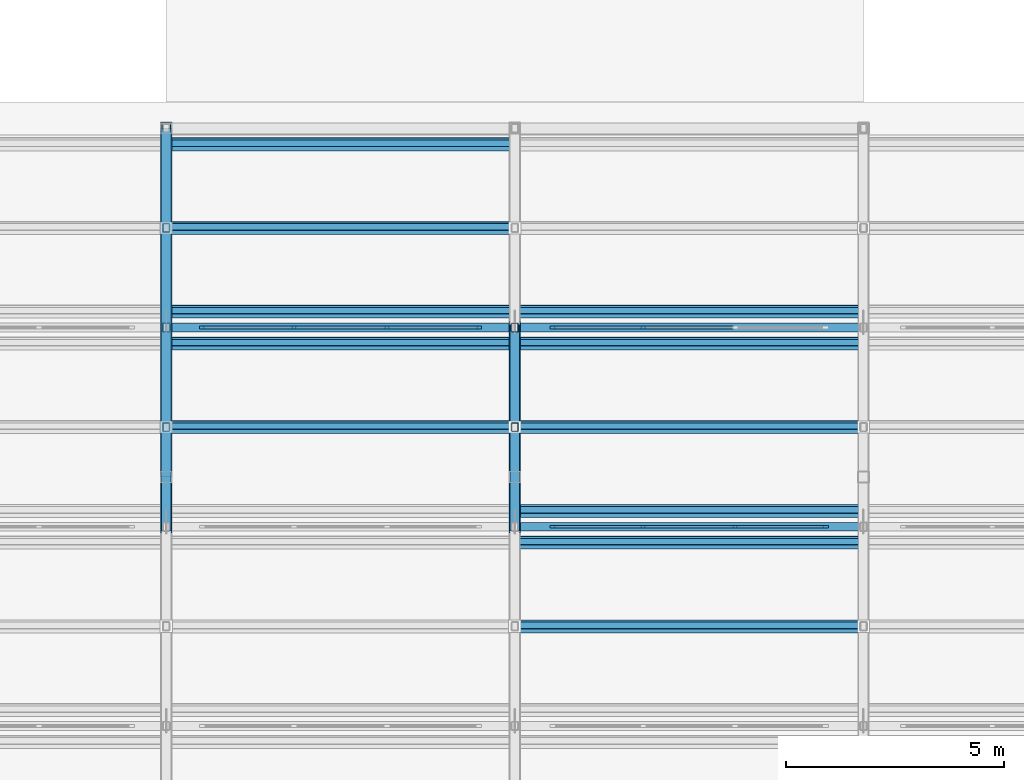
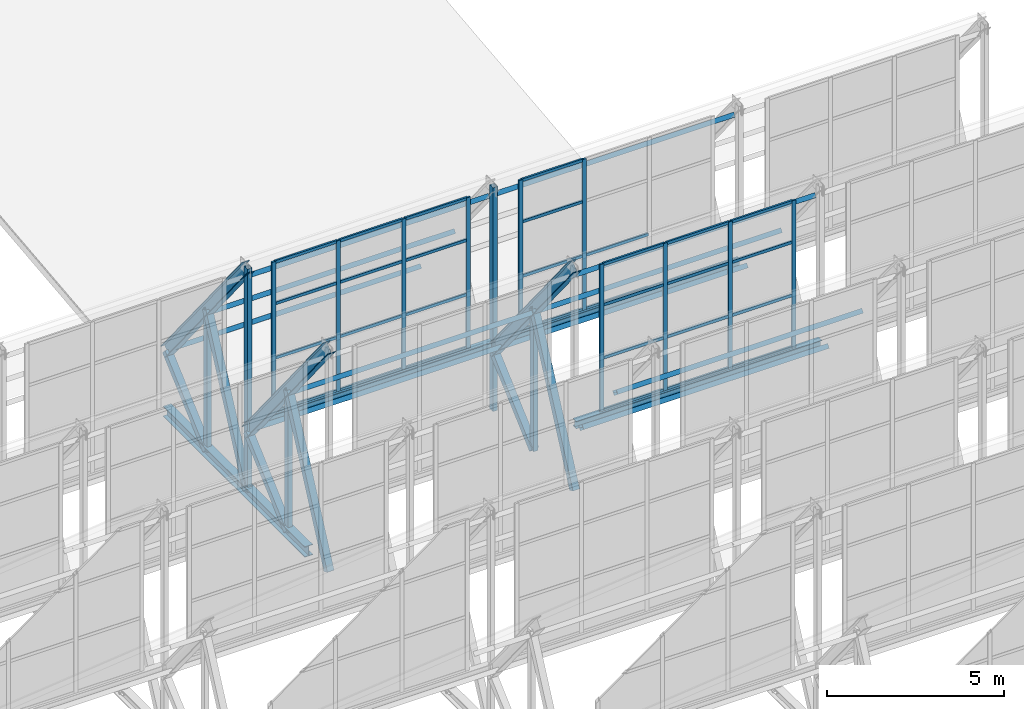
# One storey, part 17 of 34: 65 members, 4 beams, 3 elements without a shape of their own.
"""IFC4 building model written with IfcOpenShell, lengths in metres."""

from ifc_helpers import new_model, si_unit, direction, frame, origin, origin_2d, place, context, subcontext, project, spatial, rectangle, hollow_rectangle, i_section, extrude, material, layer, layer_set, material_profile, profile_set, type_object, element, aggregate, save


model = new_model("IFC4")

# Units and contexts
model_context = context("Model", 3, precision=1e-05, world=origin(), true_north=direction((0.0, 1.0)))
body_context = subcontext(model_context, "Body", "Model", "MODEL_VIEW")
ifc_project = project(units=[si_unit("LENGTHUNIT", "METRE"), si_unit("AREAUNIT", "SQUARE_METRE"), si_unit("VOLUMEUNIT", "CUBIC_METRE"), si_unit("PLANEANGLEUNIT", "RADIAN"), si_unit("MASSUNIT", "GRAM", prefix="KILO")], contexts=[model_context])

# Site, building, storey
site_placement = place(None, origin())
site = spatial("IfcSite", under=ifc_project, at=site_placement, CompositionType="ELEMENT")
building_placement = place(site_placement, origin())
building = spatial("IfcBuilding", under=site, at=building_placement, Name="Qorikala Patio Media Centre", CompositionType="ELEMENT")
storey_placement = place(building_placement, frame((0.0, 0.0, 32.699951171875)))
storey = spatial("IfcBuildingStorey", under=building, at=storey_placement, Name="RF", CompositionType="ELEMENT", Elevation=32.699951171875)

# Members
ifc_material_1 = material(Name="Steel S355", Category="steel")
ifc_material_profile_1 = material_profile(ifc_material_1, hollow_rectangle(XDim=0.219970703125, YDim=0.219970703125, WallThickness=0.010009765625, at=origin_2d()), Name="HSS220X220X10")
ifc_profile_set_1 = profile_set([ifc_material_profile_1], Name="Steel S355")
member_type_1 = type_object("IfcMemberType", Name="BRACE-HSS220", PredefinedType="BRACE", material=ifc_profile_set_1)
member_1_placement = place(storey_placement, frame((19.0, 25.857177734375, 0.35009765625), z_axis=(0.0, 0.424508225487, 0.905424081022), x_axis=(-1.0, 0.0, 0.0)))
element("IfcMember", 1, at=member_1_placement, inside=storey, type_object=member_type_1, Name="SAW-V1 Truss 3 Bay 6 Web Diagonal 1", PredefinedType="BRACE", context=body_context, shape_type="SweptSolid", body=[
    extrude(hollow_rectangle(XDim=0.219970703125, YDim=0.219970703125, WallThickness=0.010009765625, at=origin_2d()), origin(), (0.0, 0.0, 1.0), 5.38427734375),
])
member_2_placement = place(storey_placement, frame((19.0, 28.142822265625, 0.35009765625), z_axis=(0.0, 0.744431778243, 0.667698530432), x_axis=(-1.0, 0.0, 0.0)))
element("IfcMember", 2, at=member_2_placement, inside=storey, type_object=member_type_1, Name="SAW-V1 Truss 3 Bay 6 Web Diagonal 2", PredefinedType="BRACE", context=body_context, shape_type="SweptSolid", body=[
    extrude(hollow_rectangle(XDim=0.219970703125, YDim=0.219970703125, WallThickness=0.010009765625, at=origin_2d()), origin(), (0.0, 0.0, 1.0), 3.0703125),
])
member_3_placement = place(storey_placement, frame((19.0, 30.4287109375, 0.35009765625), z_axis=(0.0, 0.424508225487, 0.905424081022), x_axis=(-1.0, 0.0, 0.0)))
element("IfcMember", 3, at=member_3_placement, inside=storey, type_object=member_type_1, Name="SAW-V1 Truss 3 Bay 7 Web Diagonal 1", PredefinedType="BRACE", context=body_context, shape_type="SweptSolid", body=[
    extrude(hollow_rectangle(XDim=0.219970703125, YDim=0.219970703125, WallThickness=0.010009765625, at=origin_2d()), origin(), (0.0, 0.0, 1.0), 5.38427734375),
])
member_4_placement = place(storey_placement, frame((19.0, 32.71435546875, 0.35009765625), z_axis=(0.0, 0.744431778243, 0.667698530432), x_axis=(-1.0, 0.0, 0.0)))
element("IfcMember", 4, at=member_4_placement, inside=storey, type_object=member_type_1, Name="SAW-V1 Truss 3 Bay 7 Web Diagonal 2", PredefinedType="BRACE", context=body_context, shape_type="SweptSolid", body=[
    extrude(hollow_rectangle(XDim=0.219970703125, YDim=0.219970703125, WallThickness=0.010009765625, at=origin_2d()), origin(), (0.0, 0.0, 1.0), 3.0703125),
])
member_5_placement = place(storey_placement, frame((27.0, 25.857177734375, 0.35009765625), z_axis=(0.0, 0.424508225487, 0.905424081022), x_axis=(-1.0, 0.0, 0.0)))
element("IfcMember", 5, at=member_5_placement, inside=storey, type_object=member_type_1, Name="SAW-V1 Truss 4 Bay 6 Web Diagonal 1", PredefinedType="BRACE", context=body_context, shape_type="SweptSolid", body=[
    extrude(hollow_rectangle(XDim=0.219970703125, YDim=0.219970703125, WallThickness=0.010009765625, at=origin_2d()), origin(), (0.0, 0.0, 1.0), 5.38427734375),
])
member_6_placement = place(storey_placement, frame((27.0, 28.142822265625, 0.35009765625), z_axis=(0.0, 0.744431778243, 0.667698530432), x_axis=(-1.0, 0.0, 0.0)))
element("IfcMember", 6, at=member_6_placement, inside=storey, type_object=member_type_1, Name="SAW-V1 Truss 4 Bay 6 Web Diagonal 2", PredefinedType="BRACE", context=body_context, shape_type="SweptSolid", body=[
    extrude(hollow_rectangle(XDim=0.219970703125, YDim=0.219970703125, WallThickness=0.010009765625, at=origin_2d()), origin(), (0.0, 0.0, 1.0), 3.0703125),
])
ifc_material_profile_2 = material_profile(ifc_material_1, i_section(OverallWidth=0.257080078125, OverallDepth=0.363037109375, WebThickness=0.012939453125, FlangeThickness=0.021728515625, at=origin_2d()), Name="W360X122")
ifc_profile_set_2 = profile_set([ifc_material_profile_2], Name="Steel S355")
member_type_2 = type_object("IfcMemberType", Name="CHORD-W360X122", PredefinedType="CHORD", material=ifc_profile_set_2)
for number, where, z_axis, x_axis, name in (
    (7, (19.0, 25.857177734375, 8.050048828125), (0.0, 0.628995268707, -0.777409127773), (-1.0, 0.0, 0.0), "SAW-V1 Truss 3 Bay 6 Sloped Top Chord"),
    (8, (19.0, 30.4287109375, 8.050048828125), (0.0, 0.628995268707, -0.777409127773), (-1.0, 0.0, 0.0), "SAW-V1 Truss 3 Bay 7 Sloped Top Chord"),
    (9, (27.0, 25.857177734375, 8.050048828125), (0.0, 0.628995268707, -0.777409127773), (-1.0, 0.0, 0.0), "SAW-V1 Truss 4 Bay 6 Sloped Top Chord"),
):
    element("IfcMember", number, at=place(storey_placement, frame(where, z_axis=z_axis, x_axis=x_axis)), inside=storey, type_object=member_type_2, Name=name, PredefinedType="CHORD", context=body_context, shape_type="SweptSolid", body=[
        extrude(i_section(OverallWidth=0.257080078125, OverallDepth=0.363037109375, WebThickness=0.012939453125, FlangeThickness=0.021728515625, at=origin_2d()), origin(), (0.0, 0.0, 1.0), 7.267578125),
    ])

# Curtain wall, members
ifc_material_2 = material(Name="Bronze Anodised Aluminium and Low-E Glass", Category="aluminium")
ifc_layer_1 = layer(ifc_material_2, 0.159912109375)
ifc_layer_set_1 = layer_set([ifc_layer_1], Name="Bronze Anodised Aluminium and Low-E Glass")
curtain_wall_type_1 = type_object("IfcCurtainWallType", Name="CW-SAW-632X508", PredefinedType="USERDEFINED", material=ifc_layer_set_1)
curtain_wall_1_placement = place(storey_placement, origin())
curtain_wall_1 = element("IfcCurtainWall", 10, at=curtain_wall_1_placement, inside=storey, type_object=curtain_wall_type_1, Name="RF Sawtooth Glazing 135", ObjectType="SAWTOOTH GLAZING", PredefinedType="USERDEFINED")
ifc_material_3 = material(Name="Bronze Anodised Aluminium", Category="aluminium")
ifc_material_profile_3 = material_profile(ifc_material_3, rectangle(XDim=0.06005859375, YDim=0.1298828125, at=origin_2d()), Name="ALU MULLION 60x130")
ifc_profile_set_3 = profile_set([ifc_material_profile_3], Name="Bronze Anodised Aluminium")
member_type_3 = type_object("IfcMemberType", Name="CWM-60X130", PredefinedType="MULLION", material=ifc_profile_set_3)
member_7_placement = place(storey_placement, frame((27.8701171875, 25.857177734375, 2.75), z_axis=(0.0, 0.0, 1.0), x_axis=(0.0, 1.0, 0.0)))
member_7 = element("IfcMember", 11, at=member_7_placement, type_object=member_type_3, Name="CWS632508 mullion 1", PredefinedType="MULLION", context=body_context, shape_type="SweptSolid", body=[
    extrude(rectangle(XDim=0.06005859375, YDim=0.1298828125, at=origin_2d()), origin(), (0.0, 0.0, 1.0), 5.080078125),
])
member_8_placement = place(storey_placement, frame((29.94677734375, 25.857177734375, 2.75), z_axis=(0.0, 0.0, 1.0), x_axis=(0.0, 1.0, 0.0)))
member_8 = element("IfcMember", 12, at=member_8_placement, type_object=member_type_3, Name="CWS632508 mullion 2", PredefinedType="MULLION", context=body_context, shape_type="SweptSolid", body=[
    extrude(rectangle(XDim=0.06005859375, YDim=0.1298828125, at=origin_2d()), origin(), (0.0, 0.0, 1.0), 5.080078125),
])
member_9_placement = place(storey_placement, frame((32.05322265625, 25.857177734375, 2.75), z_axis=(0.0, 0.0, 1.0), x_axis=(0.0, 1.0, 0.0)))
member_9 = element("IfcMember", 13, at=member_9_placement, type_object=member_type_3, Name="CWS632508 mullion 3", PredefinedType="MULLION", context=body_context, shape_type="SweptSolid", body=[
    extrude(rectangle(XDim=0.06005859375, YDim=0.1298828125, at=origin_2d()), origin(), (0.0, 0.0, 1.0), 5.080078125),
])
member_10_placement = place(storey_placement, frame((34.1298828125, 25.857177734375, 2.75), z_axis=(0.0, 0.0, 1.0), x_axis=(0.0, 1.0, 0.0)))
member_10 = element("IfcMember", 14, at=member_10_placement, type_object=member_type_3, Name="CWS632508 mullion 4", PredefinedType="MULLION", context=body_context, shape_type="SweptSolid", body=[
    extrude(rectangle(XDim=0.06005859375, YDim=0.1298828125, at=origin_2d()), origin(), (0.0, 0.0, 1.0), 5.080078125),
])

ifc_layer_2 = layer(ifc_material_2, 0.159912109375)
ifc_layer_set_2 = layer_set([ifc_layer_2], Name="Bronze Anodised Aluminium and Low-E Glass")
curtain_wall_type_2 = type_object("IfcCurtainWallType", Name="CW-SAW-640X520", PredefinedType="USERDEFINED", material=ifc_layer_set_2)
curtain_wall_2_placement = place(storey_placement, origin())
curtain_wall_2 = element("IfcCurtainWall", 15, at=curtain_wall_2_placement, inside=storey, type_object=curtain_wall_type_2, Name="RF Sawtooth Glazing 139", ObjectType="SAWTOOTH GLAZING", PredefinedType="USERDEFINED")
member_11_placement = place(storey_placement, frame((19.830078125, 30.4287109375, 2.75), z_axis=(0.0, 0.0, 1.0), x_axis=(0.0, 1.0, 0.0)))
member_11 = element("IfcMember", 16, at=member_11_placement, type_object=member_type_3, Name="CWS640520 mullion 1", PredefinedType="MULLION", context=body_context, shape_type="SweptSolid", body=[
    extrude(rectangle(XDim=0.06005859375, YDim=0.1298828125, at=origin_2d()), origin(), (0.0, 0.0, 1.0), 5.199951171875),
])
member_12_placement = place(storey_placement, frame((21.933349609375, 30.4287109375, 2.75), z_axis=(0.0, 0.0, 1.0), x_axis=(0.0, 1.0, 0.0)))
member_12 = element("IfcMember", 17, at=member_12_placement, type_object=member_type_3, Name="CWS640520 mullion 2", PredefinedType="MULLION", context=body_context, shape_type="SweptSolid", body=[
    extrude(rectangle(XDim=0.06005859375, YDim=0.1298828125, at=origin_2d()), origin(), (0.0, 0.0, 1.0), 5.199951171875),
])
member_13_placement = place(storey_placement, frame((24.066650390625, 30.4287109375, 2.75), z_axis=(0.0, 0.0, 1.0), x_axis=(0.0, 1.0, 0.0)))
member_13 = element("IfcMember", 18, at=member_13_placement, type_object=member_type_3, Name="CWS640520 mullion 3", PredefinedType="MULLION", context=body_context, shape_type="SweptSolid", body=[
    extrude(rectangle(XDim=0.06005859375, YDim=0.1298828125, at=origin_2d()), origin(), (0.0, 0.0, 1.0), 5.199951171875),
])
member_14_placement = place(storey_placement, frame((26.169921875, 30.4287109375, 2.75), z_axis=(0.0, 0.0, 1.0), x_axis=(0.0, 1.0, 0.0)))
member_14 = element("IfcMember", 19, at=member_14_placement, type_object=member_type_3, Name="CWS640520 mullion 4", PredefinedType="MULLION", context=body_context, shape_type="SweptSolid", body=[
    extrude(rectangle(XDim=0.06005859375, YDim=0.1298828125, at=origin_2d()), origin(), (0.0, 0.0, 1.0), 5.199951171875),
])

ifc_layer_3 = layer(ifc_material_2, 0.159912109375)
ifc_layer_set_3 = layer_set([ifc_layer_3], Name="Bronze Anodised Aluminium and Low-E Glass")
curtain_wall_type_3 = type_object("IfcCurtainWallType", Name="CW-SAW-632X520", PredefinedType="USERDEFINED", material=ifc_layer_set_3)
curtain_wall_3_placement = place(storey_placement, origin())
curtain_wall_3 = element("IfcCurtainWall", 20, at=curtain_wall_3_placement, inside=storey, type_object=curtain_wall_type_3, Name="RF Sawtooth Glazing 140", ObjectType="SAWTOOTH GLAZING", PredefinedType="USERDEFINED")
member_15_placement = place(storey_placement, frame((27.8701171875, 30.4287109375, 2.75), z_axis=(0.0, 0.0, 1.0), x_axis=(0.0, 1.0, 0.0)))
member_15 = element("IfcMember", 21, at=member_15_placement, type_object=member_type_3, Name="CWS632520 mullion 1", PredefinedType="MULLION", context=body_context, shape_type="SweptSolid", body=[
    extrude(rectangle(XDim=0.06005859375, YDim=0.1298828125, at=origin_2d()), origin(), (0.0, 0.0, 1.0), 5.199951171875),
])
member_16_placement = place(storey_placement, frame((29.94677734375, 30.4287109375, 2.75), z_axis=(0.0, 0.0, 1.0), x_axis=(0.0, 1.0, 0.0)))
member_16 = element("IfcMember", 22, at=member_16_placement, type_object=member_type_3, Name="CWS632520 mullion 2", PredefinedType="MULLION", context=body_context, shape_type="SweptSolid", body=[
    extrude(rectangle(XDim=0.06005859375, YDim=0.1298828125, at=origin_2d()), origin(), (0.0, 0.0, 1.0), 5.199951171875),
])

# Member
ifc_material_profile_4 = material_profile(ifc_material_3, rectangle(XDim=0.06005859375, YDim=0.10009765625, at=origin_2d()), Name="ALU TRANSOM 60x100")
ifc_profile_set_4 = profile_set([ifc_material_profile_4], Name="Bronze Anodised Aluminium")
member_type_4 = type_object("IfcMemberType", Name="CWT-60X100", PredefinedType="USERDEFINED", material=ifc_profile_set_4)
member_17_placement = place(storey_placement, frame((27.89990234375, 25.857177734375, 2.780029296875), z_axis=(1.0, 0.0, 0.0), x_axis=(0.0, 1.0, 0.0)))
member_17 = element("IfcMember", 23, at=member_17_placement, type_object=member_type_4, Name="CWS632508 transom 1.1", ObjectType="TRANSOM", PredefinedType="USERDEFINED", context=body_context, shape_type="SweptSolid", body=[
    extrude(rectangle(XDim=0.06005859375, YDim=0.10009765625, at=origin_2d()), origin(), (0.0, 0.0, 1.0), 2.016845703125),
])

member_18_placement = place(storey_placement, frame((27.89990234375, 25.857177734375, 4.578857421875), z_axis=(1.0, 0.0, 0.0), x_axis=(0.0, 1.0, 0.0)))
member_18 = element("IfcMember", 24, at=member_18_placement, type_object=member_type_4, Name="CWS632508 transom 1.2", ObjectType="TRANSOM", PredefinedType="USERDEFINED", context=body_context, shape_type="SweptSolid", body=[
    extrude(rectangle(XDim=0.06005859375, YDim=0.10009765625, at=origin_2d()), origin(), (0.0, 0.0, 1.0), 2.016845703125),
])

member_19_placement = place(storey_placement, frame((27.89990234375, 25.857177734375, 6.40771484375), z_axis=(1.0, 0.0, 0.0), x_axis=(0.0, 1.0, 0.0)))
member_19 = element("IfcMember", 25, at=member_19_placement, type_object=member_type_4, Name="CWS632508 transom 1.3", ObjectType="TRANSOM", PredefinedType="USERDEFINED", context=body_context, shape_type="SweptSolid", body=[
    extrude(rectangle(XDim=0.06005859375, YDim=0.10009765625, at=origin_2d()), origin(), (0.0, 0.0, 1.0), 2.016845703125),
])

member_20_placement = place(storey_placement, frame((27.89990234375, 25.857177734375, 7.800048828125), z_axis=(1.0, 0.0, 0.0), x_axis=(0.0, 1.0, 0.0)))
member_20 = element("IfcMember", 26, at=member_20_placement, type_object=member_type_4, Name="CWS632508 transom 1.4", ObjectType="TRANSOM", PredefinedType="USERDEFINED", context=body_context, shape_type="SweptSolid", body=[
    extrude(rectangle(XDim=0.06005859375, YDim=0.10009765625, at=origin_2d()), origin(), (0.0, 0.0, 1.0), 2.016845703125),
])

member_21_placement = place(storey_placement, frame((29.9765625, 25.857177734375, 2.780029296875), z_axis=(1.0, 0.0, 0.0), x_axis=(0.0, 1.0, 0.0)))
member_21 = element("IfcMember", 27, at=member_21_placement, type_object=member_type_4, Name="CWS632508 transom 2.1", ObjectType="TRANSOM", PredefinedType="USERDEFINED", context=body_context, shape_type="SweptSolid", body=[
    extrude(rectangle(XDim=0.06005859375, YDim=0.10009765625, at=origin_2d()), origin(), (0.0, 0.0, 1.0), 2.046875),
])

member_22_placement = place(storey_placement, frame((29.9765625, 25.857177734375, 4.578857421875), z_axis=(1.0, 0.0, 0.0), x_axis=(0.0, 1.0, 0.0)))
member_22 = element("IfcMember", 28, at=member_22_placement, type_object=member_type_4, Name="CWS632508 transom 2.2", ObjectType="TRANSOM", PredefinedType="USERDEFINED", context=body_context, shape_type="SweptSolid", body=[
    extrude(rectangle(XDim=0.06005859375, YDim=0.10009765625, at=origin_2d()), origin(), (0.0, 0.0, 1.0), 2.046875),
])

member_23_placement = place(storey_placement, frame((29.9765625, 25.857177734375, 6.40771484375), z_axis=(1.0, 0.0, 0.0), x_axis=(0.0, 1.0, 0.0)))
member_23 = element("IfcMember", 29, at=member_23_placement, type_object=member_type_4, Name="CWS632508 transom 2.3", ObjectType="TRANSOM", PredefinedType="USERDEFINED", context=body_context, shape_type="SweptSolid", body=[
    extrude(rectangle(XDim=0.06005859375, YDim=0.10009765625, at=origin_2d()), origin(), (0.0, 0.0, 1.0), 2.046875),
])

member_24_placement = place(storey_placement, frame((29.9765625, 25.857177734375, 7.800048828125), z_axis=(1.0, 0.0, 0.0), x_axis=(0.0, 1.0, 0.0)))
member_24 = element("IfcMember", 30, at=member_24_placement, type_object=member_type_4, Name="CWS632508 transom 2.4", ObjectType="TRANSOM", PredefinedType="USERDEFINED", context=body_context, shape_type="SweptSolid", body=[
    extrude(rectangle(XDim=0.06005859375, YDim=0.10009765625, at=origin_2d()), origin(), (0.0, 0.0, 1.0), 2.046875),
])

member_25_placement = place(storey_placement, frame((32.083251953125, 25.857177734375, 2.780029296875), z_axis=(1.0, 0.0, 0.0), x_axis=(0.0, 1.0, 0.0)))
member_25 = element("IfcMember", 31, at=member_25_placement, type_object=member_type_4, Name="CWS632508 transom 3.1", ObjectType="TRANSOM", PredefinedType="USERDEFINED", context=body_context, shape_type="SweptSolid", body=[
    extrude(rectangle(XDim=0.06005859375, YDim=0.10009765625, at=origin_2d()), origin(), (0.0, 0.0, 1.0), 2.016845703125),
])

member_26_placement = place(storey_placement, frame((32.083251953125, 25.857177734375, 4.578857421875), z_axis=(1.0, 0.0, 0.0), x_axis=(0.0, 1.0, 0.0)))
member_26 = element("IfcMember", 32, at=member_26_placement, type_object=member_type_4, Name="CWS632508 transom 3.2", ObjectType="TRANSOM", PredefinedType="USERDEFINED", context=body_context, shape_type="SweptSolid", body=[
    extrude(rectangle(XDim=0.06005859375, YDim=0.10009765625, at=origin_2d()), origin(), (0.0, 0.0, 1.0), 2.016845703125),
])

member_27_placement = place(storey_placement, frame((32.083251953125, 25.857177734375, 6.40771484375), z_axis=(1.0, 0.0, 0.0), x_axis=(0.0, 1.0, 0.0)))
member_27 = element("IfcMember", 33, at=member_27_placement, type_object=member_type_4, Name="CWS632508 transom 3.3", ObjectType="TRANSOM", PredefinedType="USERDEFINED", context=body_context, shape_type="SweptSolid", body=[
    extrude(rectangle(XDim=0.06005859375, YDim=0.10009765625, at=origin_2d()), origin(), (0.0, 0.0, 1.0), 2.016845703125),
])

member_28_placement = place(storey_placement, frame((32.083251953125, 25.857177734375, 7.800048828125), z_axis=(1.0, 0.0, 0.0), x_axis=(0.0, 1.0, 0.0)))
member_28 = element("IfcMember", 34, at=member_28_placement, type_object=member_type_4, Name="CWS632508 transom 3.4", ObjectType="TRANSOM", PredefinedType="USERDEFINED", context=body_context, shape_type="SweptSolid", body=[
    extrude(rectangle(XDim=0.06005859375, YDim=0.10009765625, at=origin_2d()), origin(), (0.0, 0.0, 1.0), 2.016845703125),
])

aggregate(curtain_wall_1, [member_7, member_8, member_9, member_10, member_17, member_18, member_19, member_20, member_21, member_22, member_23, member_24, member_25, member_26, member_27, member_28])

member_29_placement = place(storey_placement, frame((19.860107421875, 30.4287109375, 2.780029296875), z_axis=(1.0, 0.0, 0.0), x_axis=(0.0, 1.0, 0.0)))
member_29 = element("IfcMember", 35, at=member_29_placement, type_object=member_type_4, Name="CWS640520 transom 1.1", ObjectType="TRANSOM", PredefinedType="USERDEFINED", context=body_context, shape_type="SweptSolid", body=[
    extrude(rectangle(XDim=0.06005859375, YDim=0.10009765625, at=origin_2d()), origin(), (0.0, 0.0, 1.0), 2.043212890625),
])

member_30_placement = place(storey_placement, frame((19.860107421875, 30.4287109375, 4.6220703125), z_axis=(1.0, 0.0, 0.0), x_axis=(0.0, 1.0, 0.0)))
member_30 = element("IfcMember", 36, at=member_30_placement, type_object=member_type_4, Name="CWS640520 transom 1.2", ObjectType="TRANSOM", PredefinedType="USERDEFINED", context=body_context, shape_type="SweptSolid", body=[
    extrude(rectangle(XDim=0.06005859375, YDim=0.10009765625, at=origin_2d()), origin(), (0.0, 0.0, 1.0), 2.043212890625),
])

member_31_placement = place(storey_placement, frame((19.860107421875, 30.4287109375, 6.494140625), z_axis=(1.0, 0.0, 0.0), x_axis=(0.0, 1.0, 0.0)))
member_31 = element("IfcMember", 37, at=member_31_placement, type_object=member_type_4, Name="CWS640520 transom 1.3", ObjectType="TRANSOM", PredefinedType="USERDEFINED", context=body_context, shape_type="SweptSolid", body=[
    extrude(rectangle(XDim=0.06005859375, YDim=0.10009765625, at=origin_2d()), origin(), (0.0, 0.0, 1.0), 2.043212890625),
])

member_32_placement = place(storey_placement, frame((19.860107421875, 30.4287109375, 7.920166015625), z_axis=(1.0, 0.0, 0.0), x_axis=(0.0, 1.0, 0.0)))
member_32 = element("IfcMember", 38, at=member_32_placement, type_object=member_type_4, Name="CWS640520 transom 1.4", ObjectType="TRANSOM", PredefinedType="USERDEFINED", context=body_context, shape_type="SweptSolid", body=[
    extrude(rectangle(XDim=0.06005859375, YDim=0.10009765625, at=origin_2d()), origin(), (0.0, 0.0, 1.0), 2.043212890625),
])

member_33_placement = place(storey_placement, frame((21.96337890625, 30.4287109375, 2.780029296875), z_axis=(1.0, 0.0, 0.0), x_axis=(0.0, 1.0, 0.0)))
member_33 = element("IfcMember", 39, at=member_33_placement, type_object=member_type_4, Name="CWS640520 transom 2.1", ObjectType="TRANSOM", PredefinedType="USERDEFINED", context=body_context, shape_type="SweptSolid", body=[
    extrude(rectangle(XDim=0.06005859375, YDim=0.10009765625, at=origin_2d()), origin(), (0.0, 0.0, 1.0), 2.0732421875),
])

member_34_placement = place(storey_placement, frame((21.96337890625, 30.4287109375, 4.6220703125), z_axis=(1.0, 0.0, 0.0), x_axis=(0.0, 1.0, 0.0)))
member_34 = element("IfcMember", 40, at=member_34_placement, type_object=member_type_4, Name="CWS640520 transom 2.2", ObjectType="TRANSOM", PredefinedType="USERDEFINED", context=body_context, shape_type="SweptSolid", body=[
    extrude(rectangle(XDim=0.06005859375, YDim=0.10009765625, at=origin_2d()), origin(), (0.0, 0.0, 1.0), 2.0732421875),
])

member_35_placement = place(storey_placement, frame((21.96337890625, 30.4287109375, 6.494140625), z_axis=(1.0, 0.0, 0.0), x_axis=(0.0, 1.0, 0.0)))
member_35 = element("IfcMember", 41, at=member_35_placement, type_object=member_type_4, Name="CWS640520 transom 2.3", ObjectType="TRANSOM", PredefinedType="USERDEFINED", context=body_context, shape_type="SweptSolid", body=[
    extrude(rectangle(XDim=0.06005859375, YDim=0.10009765625, at=origin_2d()), origin(), (0.0, 0.0, 1.0), 2.0732421875),
])

member_36_placement = place(storey_placement, frame((21.96337890625, 30.4287109375, 7.920166015625), z_axis=(1.0, 0.0, 0.0), x_axis=(0.0, 1.0, 0.0)))
member_36 = element("IfcMember", 42, at=member_36_placement, type_object=member_type_4, Name="CWS640520 transom 2.4", ObjectType="TRANSOM", PredefinedType="USERDEFINED", context=body_context, shape_type="SweptSolid", body=[
    extrude(rectangle(XDim=0.06005859375, YDim=0.10009765625, at=origin_2d()), origin(), (0.0, 0.0, 1.0), 2.0732421875),
])

member_37_placement = place(storey_placement, frame((24.0966796875, 30.4287109375, 2.780029296875), z_axis=(1.0, 0.0, 0.0), x_axis=(0.0, 1.0, 0.0)))
member_37 = element("IfcMember", 43, at=member_37_placement, type_object=member_type_4, Name="CWS640520 transom 3.1", ObjectType="TRANSOM", PredefinedType="USERDEFINED", context=body_context, shape_type="SweptSolid", body=[
    extrude(rectangle(XDim=0.06005859375, YDim=0.10009765625, at=origin_2d()), origin(), (0.0, 0.0, 1.0), 2.043212890625),
])

member_38_placement = place(storey_placement, frame((24.0966796875, 30.4287109375, 4.6220703125), z_axis=(1.0, 0.0, 0.0), x_axis=(0.0, 1.0, 0.0)))
member_38 = element("IfcMember", 44, at=member_38_placement, type_object=member_type_4, Name="CWS640520 transom 3.2", ObjectType="TRANSOM", PredefinedType="USERDEFINED", context=body_context, shape_type="SweptSolid", body=[
    extrude(rectangle(XDim=0.06005859375, YDim=0.10009765625, at=origin_2d()), origin(), (0.0, 0.0, 1.0), 2.043212890625),
])

member_39_placement = place(storey_placement, frame((24.0966796875, 30.4287109375, 6.494140625), z_axis=(1.0, 0.0, 0.0), x_axis=(0.0, 1.0, 0.0)))
member_39 = element("IfcMember", 45, at=member_39_placement, type_object=member_type_4, Name="CWS640520 transom 3.3", ObjectType="TRANSOM", PredefinedType="USERDEFINED", context=body_context, shape_type="SweptSolid", body=[
    extrude(rectangle(XDim=0.06005859375, YDim=0.10009765625, at=origin_2d()), origin(), (0.0, 0.0, 1.0), 2.043212890625),
])

member_40_placement = place(storey_placement, frame((24.0966796875, 30.4287109375, 7.920166015625), z_axis=(1.0, 0.0, 0.0), x_axis=(0.0, 1.0, 0.0)))
member_40 = element("IfcMember", 46, at=member_40_placement, type_object=member_type_4, Name="CWS640520 transom 3.4", ObjectType="TRANSOM", PredefinedType="USERDEFINED", context=body_context, shape_type="SweptSolid", body=[
    extrude(rectangle(XDim=0.06005859375, YDim=0.10009765625, at=origin_2d()), origin(), (0.0, 0.0, 1.0), 2.043212890625),
])

aggregate(curtain_wall_2, [member_11, member_12, member_13, member_14, member_29, member_30, member_31, member_32, member_33, member_34, member_35, member_36, member_37, member_38, member_39, member_40])

member_41_placement = place(storey_placement, frame((27.89990234375, 30.4287109375, 2.780029296875), z_axis=(1.0, 0.0, 0.0), x_axis=(0.0, 1.0, 0.0)))
member_41 = element("IfcMember", 47, at=member_41_placement, type_object=member_type_4, Name="CWS632520 transom 1.1", ObjectType="TRANSOM", PredefinedType="USERDEFINED", context=body_context, shape_type="SweptSolid", body=[
    extrude(rectangle(XDim=0.06005859375, YDim=0.10009765625, at=origin_2d()), origin(), (0.0, 0.0, 1.0), 2.016845703125),
])

member_42_placement = place(storey_placement, frame((27.89990234375, 30.4287109375, 4.6220703125), z_axis=(1.0, 0.0, 0.0), x_axis=(0.0, 1.0, 0.0)))
member_42 = element("IfcMember", 48, at=member_42_placement, type_object=member_type_4, Name="CWS632520 transom 1.2", ObjectType="TRANSOM", PredefinedType="USERDEFINED", context=body_context, shape_type="SweptSolid", body=[
    extrude(rectangle(XDim=0.06005859375, YDim=0.10009765625, at=origin_2d()), origin(), (0.0, 0.0, 1.0), 2.016845703125),
])

member_43_placement = place(storey_placement, frame((27.89990234375, 30.4287109375, 6.494140625), z_axis=(1.0, 0.0, 0.0), x_axis=(0.0, 1.0, 0.0)))
member_43 = element("IfcMember", 49, at=member_43_placement, type_object=member_type_4, Name="CWS632520 transom 1.3", ObjectType="TRANSOM", PredefinedType="USERDEFINED", context=body_context, shape_type="SweptSolid", body=[
    extrude(rectangle(XDim=0.06005859375, YDim=0.10009765625, at=origin_2d()), origin(), (0.0, 0.0, 1.0), 2.016845703125),
])

member_44_placement = place(storey_placement, frame((27.89990234375, 30.4287109375, 7.920166015625), z_axis=(1.0, 0.0, 0.0), x_axis=(0.0, 1.0, 0.0)))
member_44 = element("IfcMember", 50, at=member_44_placement, type_object=member_type_4, Name="CWS632520 transom 1.4", ObjectType="TRANSOM", PredefinedType="USERDEFINED", context=body_context, shape_type="SweptSolid", body=[
    extrude(rectangle(XDim=0.06005859375, YDim=0.10009765625, at=origin_2d()), origin(), (0.0, 0.0, 1.0), 2.016845703125),
])

member_45_placement = place(storey_placement, frame((29.9765625, 30.4287109375, 2.780029296875), z_axis=(1.0, 0.0, 0.0), x_axis=(0.0, 1.0, 0.0)))
member_45 = element("IfcMember", 51, at=member_45_placement, type_object=member_type_4, Name="CWS632520 transom 2.1", ObjectType="TRANSOM", PredefinedType="USERDEFINED", context=body_context, shape_type="SweptSolid", body=[
    extrude(rectangle(XDim=0.06005859375, YDim=0.10009765625, at=origin_2d()), origin(), (0.0, 0.0, 1.0), 2.046875),
])

member_46_placement = place(storey_placement, frame((29.9765625, 30.4287109375, 4.6220703125), z_axis=(1.0, 0.0, 0.0), x_axis=(0.0, 1.0, 0.0)))
member_46 = element("IfcMember", 52, at=member_46_placement, type_object=member_type_4, Name="CWS632520 transom 2.2", ObjectType="TRANSOM", PredefinedType="USERDEFINED", context=body_context, shape_type="SweptSolid", body=[
    extrude(rectangle(XDim=0.06005859375, YDim=0.10009765625, at=origin_2d()), origin(), (0.0, 0.0, 1.0), 2.046875),
])

aggregate(curtain_wall_3, [member_15, member_16, member_41, member_42, member_43, member_44, member_45, member_46])

# Members
ifc_material_profile_5 = material_profile(ifc_material_1, i_section(OverallWidth=0.14794921875, OverallDepth=0.26611328125, WebThickness=0.007568359375, FlangeThickness=0.012939453125, at=origin_2d()), Name="W250X45")
ifc_profile_set_5 = profile_set([ifc_material_profile_5], Name="Steel S355")
member_type_5 = type_object("IfcMemberType", Name="PURLIN-W250X45", PredefinedType="PURLIN", material=ifc_profile_set_5)
for number, where, z_axis, x_axis, name in (
    (53, (27.0, 23.5712890625, 5.077392578125), (1.0, 0.0, 0.0), (0.0, 0.62899480571, 0.777409502379), "SAW-V1 Bay 5 Roof Purlin"),
    (54, (27.0, 25.491455078125, 2.704345703125), (1.0, 0.0, 0.0), (0.0, 0.62899480571, 0.777409502379), "SAW-V1 Bay 5 Roof Purlin"),
    (55, (27.0, 26.222900390625, 7.450439453125), (1.0, 0.0, 0.0), (0.0, 0.62899480571, 0.777409502379), "SAW-V1 Bay 6 Roof Purlin"),
    (56, (19.0, 28.142822265625, 5.077392578125), (1.0, 0.0, 0.0), (0.0, 0.62899480571, 0.777409502379), "SAW-V1 Bay 6 Roof Purlin"),
    (57, (27.0, 28.142822265625, 5.077392578125), (1.0, 0.0, 0.0), (0.0, 0.62899480571, 0.777409502379), "SAW-V1 Bay 6 Roof Purlin"),
    (58, (19.0, 30.062744140625, 2.704345703125), (1.0, 0.0, 0.0), (0.0, 0.62899480571, 0.777409502379), "SAW-V1 Bay 6 Roof Purlin"),
    (59, (27.0, 30.062744140625, 2.704345703125), (1.0, 0.0, 0.0), (0.0, 0.62899480571, 0.777409502379), "SAW-V1 Bay 6 Roof Purlin"),
    (60, (19.0, 30.794189453125, 7.450439453125), (1.0, 0.0, 0.0), (0.0, 0.62899480571, 0.777409502379), "SAW-V1 Bay 7 Roof Purlin"),
    (61, (27.0, 30.794189453125, 7.450439453125), (1.0, 0.0, 0.0), (0.0, 0.62899480571, 0.777409502379), "SAW-V1 Bay 7 Roof Purlin"),
    (62, (19.0, 32.71435546875, 5.077392578125), (1.0, 0.0, 0.0), (0.0, 0.62899480571, 0.777409502379), "SAW-V1 Bay 7 Roof Purlin"),
    (63, (19.0, 34.63427734375, 2.704345703125), (1.0, 0.0, 0.0), (0.0, 0.62899480571, 0.777409502379), "SAW-V1 Bay 7 Roof Purlin"),
):
    element("IfcMember", number, at=place(storey_placement, frame(where, z_axis=z_axis, x_axis=x_axis)), inside=storey, type_object=member_type_5, Name=name, PredefinedType="PURLIN", context=body_context, shape_type="SweptSolid", body=[
        extrude(i_section(OverallWidth=0.14794921875, OverallDepth=0.26611328125, WebThickness=0.007568359375, FlangeThickness=0.012939453125, at=origin_2d()), origin(), (0.0, 0.0, 1.0), 8.0),
    ])

# Beams
ifc_material_profile_6 = material_profile(ifc_material_1, i_section(OverallWidth=0.202880859375, OverallDepth=0.251953125, WebThickness=0.008056640625, FlangeThickness=0.013427734375, at=origin_2d()), Name="W250X58")
ifc_profile_set_6 = profile_set([ifc_material_profile_6], Name="Steel S355")
beam_type_1 = type_object("IfcBeamType", Name="SBM-W250X58", PredefinedType="BEAM", material=ifc_profile_set_6)
for number, where, z_axis, x_axis, name in (
    (64, (27.0, 25.857177734375, 2.625), (1.0, 0.0, 0.0), (0.0, 1.0, 0.0), "Sawtooth V1 Clerestory Sill Beam 6.4"),
    (65, (19.0, 30.4287109375, 2.625), (1.0, 0.0, 0.0), (0.0, 1.0, 0.0), "Sawtooth V1 Clerestory Sill Beam 7.3"),
    (66, (27.0, 30.4287109375, 2.625), (1.0, 0.0, 0.0), (0.0, 1.0, 0.0), "Sawtooth V1 Clerestory Sill Beam 7.4"),
):
    element("IfcBeam", number, at=place(storey_placement, frame(where, z_axis=z_axis, x_axis=x_axis)), inside=storey, type_object=beam_type_1, Name=name, PredefinedType="BEAM", context=body_context, shape_type="SweptSolid", body=[
        extrude(i_section(OverallWidth=0.202880859375, OverallDepth=0.251953125, WebThickness=0.008056640625, FlangeThickness=0.013427734375, at=origin_2d()), origin(), (0.0, 0.0, 1.0), 8.0),
    ])
ifc_material_profile_7 = material_profile(ifc_material_1, i_section(OverallWidth=0.257080078125, OverallDepth=0.363037109375, WebThickness=0.012939453125, FlangeThickness=0.021728515625, at=origin_2d()), Name="W360X122")
ifc_profile_set_7 = profile_set([ifc_material_profile_7], Name="Steel S355")
beam_type_2 = type_object("IfcBeamType", Name="SBM-W360X122", PredefinedType="BEAM", material=ifc_profile_set_7)
beam_placement = place(storey_placement, frame((19.0, 27.0, 0.35009765625), z_axis=(0.0, 1.0, 0.0), x_axis=(-1.0, 0.0, 0.0)))
element("IfcBeam", 67, at=beam_placement, inside=storey, type_object=beam_type_2, Name="SAW-V1 Longitudinal Truss Tie Girder X=19", PredefinedType="BEAM", context=body_context, shape_type="SweptSolid", body=[
    extrude(i_section(OverallWidth=0.257080078125, OverallDepth=0.363037109375, WebThickness=0.012939453125, FlangeThickness=0.021728515625, at=origin_2d()), origin(), (0.0, 0.0, 1.0), 8.0),
])

# Members
ifc_material_profile_8 = material_profile(ifc_material_1, hollow_rectangle(XDim=0.14990234375, YDim=0.199951171875, WallThickness=0.008056640625, at=origin_2d()), Name="HSS200X150X8")
ifc_profile_set_8 = profile_set([ifc_material_profile_8], Name="Steel S355")
member_type_6 = type_object("IfcMemberType", Name="STRUT-HSS200", PredefinedType="STRUT", material=ifc_profile_set_8)
member_47_placement = place(storey_placement, frame((19.0, 28.142822265625, 0.35009765625), z_axis=(0.0, 0.0, 1.0), x_axis=(1.0, 0.0, 0.0)))
element("IfcMember", 68, at=member_47_placement, inside=storey, type_object=member_type_6, Name="SAW-V1 Truss 3 Bay 6 Mid Strut", PredefinedType="STRUT", context=body_context, shape_type="SweptSolid", body=[
    extrude(hollow_rectangle(XDim=0.14990234375, YDim=0.199951171875, WallThickness=0.008056640625, at=origin_2d()), origin(), (0.0, 0.0, 1.0), 4.875),
])
member_48_placement = place(storey_placement, frame((19.0, 30.4287109375, 0.35009765625), z_axis=(0.0, 0.0, 1.0), x_axis=(1.0, 0.0, 0.0)))
element("IfcMember", 69, at=member_48_placement, inside=storey, type_object=member_type_6, Name="SAW-V1 Truss 3 Bay 7 Clerestory Post", PredefinedType="STRUT", context=body_context, shape_type="SweptSolid", body=[
    extrude(hollow_rectangle(XDim=0.14990234375, YDim=0.199951171875, WallThickness=0.008056640625, at=origin_2d()), origin(), (0.0, 0.0, 1.0), 7.699951171875),
])
for number, where, z_axis, x_axis, name in (
    (70, (19.0, 32.71435546875, 0.35009765625), (0.0, 0.0, 1.0), (1.0, 0.0, 0.0), "SAW-V1 Truss 3 Bay 7 Mid Strut"),
    (71, (27.0, 28.142822265625, 0.35009765625), (0.0, 0.0, 1.0), (1.0, 0.0, 0.0), "SAW-V1 Truss 4 Bay 6 Mid Strut"),
):
    element("IfcMember", number, at=place(storey_placement, frame(where, z_axis=z_axis, x_axis=x_axis)), inside=storey, type_object=member_type_6, Name=name, PredefinedType="STRUT", context=body_context, shape_type="SweptSolid", body=[
        extrude(hollow_rectangle(XDim=0.14990234375, YDim=0.199951171875, WallThickness=0.008056640625, at=origin_2d()), origin(), (0.0, 0.0, 1.0), 4.875),
    ])
member_49_placement = place(storey_placement, frame((27.0, 30.4287109375, 0.35009765625), z_axis=(0.0, 0.0, 1.0), x_axis=(1.0, 0.0, 0.0)))
element("IfcMember", 72, at=member_49_placement, inside=storey, type_object=member_type_6, Name="SAW-V1 Truss 4 Bay 7 Clerestory Post", PredefinedType="STRUT", context=body_context, shape_type="SweptSolid", body=[
    extrude(hollow_rectangle(XDim=0.14990234375, YDim=0.199951171875, WallThickness=0.008056640625, at=origin_2d()), origin(), (0.0, 0.0, 1.0), 7.699951171875),
])

save(model, "model.ifc")
